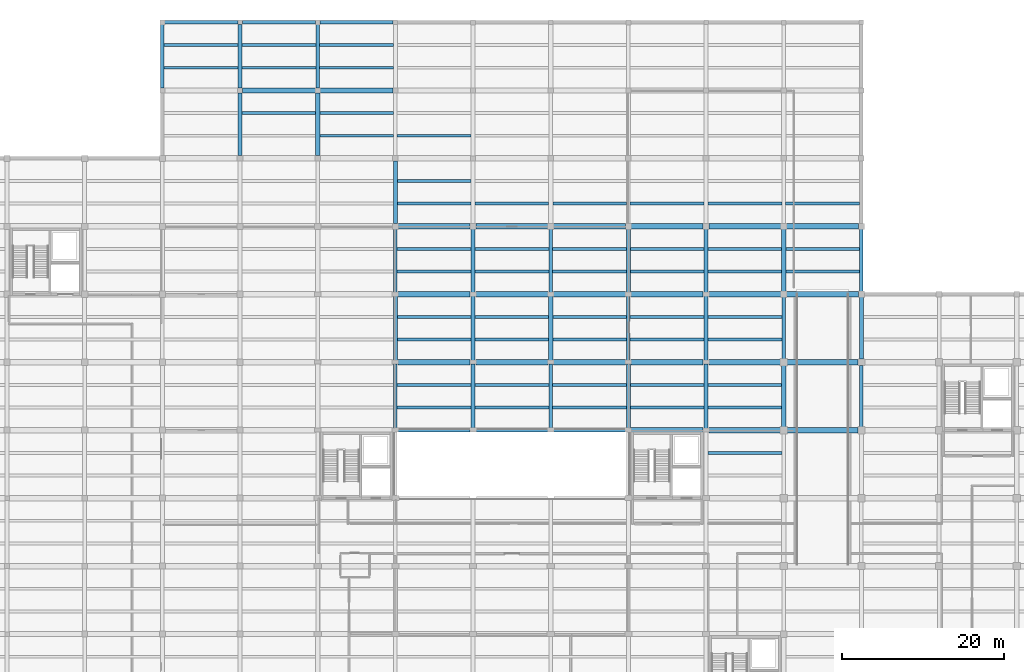
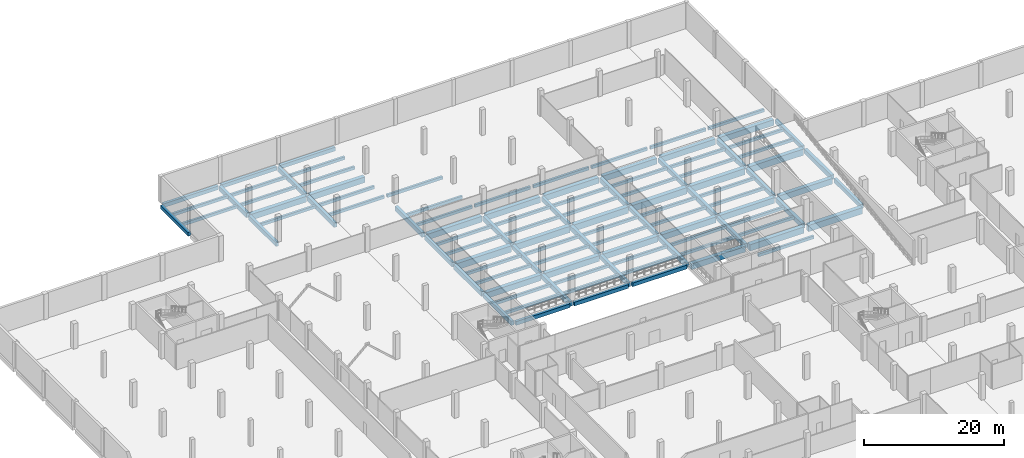
# One storey, part 10 of 30: 106 beams.
"""IFC4 building model written with IfcOpenShell, lengths in metres."""

import ifcopenshell
import ifcopenshell.guid

model = None  # the IFC model being written
_history = None  # IfcOwnerHistory: only IFC2X3 demands one
_inside = {}  # id of a spatial element -> (the spatial element, [elements in it])
_under = {}  # id of a project, library or spatial element -> (it, [spatial elements below it])
_declared = {}  # id of a project -> (the project, [libraries it declares])
_typed = {}  # id of a type object -> (the type object, [elements of that type])
_made_of = {}  # id of a material, layer set ... -> (it, [elements and type objects made of it])


def new_model(schema):
    """Start an empty IFC model of exactly this schema.

    Asked for "IFC4X3", IfcOpenShell would pick the latest addendum, in which some entities
    have other attributes; the version numbers below select the first issue.
    IFC2X3 requires an IfcOwnerHistory on every rooted entity: one is made here for all.
    """
    global model, _history
    if schema == "IFC4X3":
        model = ifcopenshell.file(schema_version=(4, 3, 0, 0))
    else:
        model = ifcopenshell.file(schema=schema)
    _inside.clear()
    _under.clear()
    _declared.clear()
    _typed.clear()
    _made_of.clear()
    _history = None
    if model.schema == "IFC2X3":
        org = make("IfcOrganization", Name="unknown")
        user = make(
            "IfcPersonAndOrganization",
            ThePerson=make("IfcPerson", FamilyName="unknown"),
            TheOrganization=org,
        )
        app = make(
            "IfcApplication",
            ApplicationDeveloper=org,
            Version="unknown",
            ApplicationFullName="unknown",
            ApplicationIdentifier="unknown",
        )
        _history = make(
            "IfcOwnerHistory",
            OwningUser=user,
            OwningApplication=app,
            ChangeAction="ADDED",
            CreationDate=0,
        )
    return model


def make(cls, **values):
    """One entity of the class cls with the attributes given. An attribute that is None is left unset."""
    return model.create_entity(
        cls, **{name: value for name, value in values.items() if value is not None}
    )


def rooted(cls, **values):
    """An entity with a GlobalId (a new one), such as an element, a storey or a relation."""
    return make(cls, GlobalId=ifcopenshell.guid.new(), OwnerHistory=_history, **values)


def si_unit(unit_type, name, prefix=None):
    """IfcSIUnit, for example si_unit("LENGTHUNIT", "METRE", prefix="MILLI")."""
    return make("IfcSIUnit", UnitType=unit_type, Prefix=prefix, Name=name)


def assignment(units):
    """IfcUnitAssignment: the units of a project."""
    return None if units is None else make("IfcUnitAssignment", Units=units)


def point(xyz):
    """IfcCartesianPoint."""
    return None if xyz is None else make("IfcCartesianPoint", Coordinates=xyz)


def direction(xyz):
    """IfcDirection."""
    return None if xyz is None else make("IfcDirection", DirectionRatios=xyz)


def frame(location, z_axis=None, x_axis=None):
    """IfcAxis2Placement3D, a coordinate frame: its origin and axes. An axis left out is left unset."""
    return make(
        "IfcAxis2Placement3D",
        Location=point(location),
        Axis=direction(z_axis),
        RefDirection=direction(x_axis),
    )


def frame_2d(location, x_axis=None):
    """IfcAxis2Placement2D, a coordinate frame in the plane: its origin and x axis."""
    return make(
        "IfcAxis2Placement2D", Location=point(location), RefDirection=direction(x_axis)
    )


def origin():
    """The frame at (0, 0, 0) with its axes left unset."""
    return frame((0.0, 0.0, 0.0))


def origin_2d():
    """The frame at (0, 0) in the plane with its x axis left unset."""
    return frame_2d((0.0, 0.0))


def place(relative_to, where):
    """IfcLocalPlacement: puts the frame where relative to a parent placement (None: the world)."""
    return make(
        "IfcLocalPlacement", PlacementRelTo=relative_to, RelativePlacement=where
    )


def context(
    kind, dimensions, precision=None, world=None, true_north=None, identifier=None
):
    """IfcGeometricRepresentationContext, for example the 3D "Model" context."""
    return make(
        "IfcGeometricRepresentationContext",
        ContextIdentifier=identifier,
        ContextType=kind,
        CoordinateSpaceDimension=dimensions,
        Precision=precision,
        WorldCoordinateSystem=world,
        TrueNorth=true_north,
    )


def subcontext(parent, identifier, kind, view, scale=None):
    """IfcGeometricRepresentationSubContext, for example "Body" below "Model"."""
    return make(
        "IfcGeometricRepresentationSubContext",
        ContextIdentifier=identifier,
        ContextType=kind,
        ParentContext=parent,
        TargetScale=scale,
        TargetView=view,
    )


def project(units=None, contexts=None):
    """IfcProject with its units and contexts."""
    return rooted(
        "IfcProject",
        Name="project",
        RepresentationContexts=contexts,
        UnitsInContext=assignment(units),
    )


def spatial(cls, under=None, at=None, **own):
    """A site, building, storey or space (cls), placed at a placement, below another one or the project."""
    s = rooted(cls, ObjectPlacement=at, **own)
    if under is not None:
        _under.setdefault(under.id(), (under, []))[1].append(s)
    return s


def profile(cls, at=None, kind="AREA", **sizes):
    """A parametric profile (cls). Its sizes go by their IFC names, for example OverallWidth=200.0."""
    return make(cls, ProfileType=kind, Position=at, **sizes)


def rectangle(**sizes):
    """IfcRectangleProfileDef."""
    return profile("IfcRectangleProfileDef", **sizes)


def extrude(swept, where, along, depth):
    """IfcExtrudedAreaSolid: the profile swept, set in the frame where, extruded along a direction by depth."""
    return make(
        "IfcExtrudedAreaSolid",
        SweptArea=swept,
        Position=where,
        ExtrudedDirection=direction(along),
        Depth=depth,
    )


def shape(context_of_items, identifier, shape_type, items):
    """IfcShapeRepresentation: the items that make up one representation, for example the "Body"."""
    return make(
        "IfcShapeRepresentation",
        ContextOfItems=context_of_items,
        RepresentationIdentifier=identifier,
        RepresentationType=shape_type,
        Items=items,
    )


def material(Name=None, Category=None):
    """IfcMaterial."""
    return make("IfcMaterial", Name=Name, Category=Category)


def material_profile(
    of_material, cross_section, Name=None, Category=None, Priority=None
):
    """IfcMaterialProfile: a cross section and its material."""
    return make(
        "IfcMaterialProfile",
        Name=Name,
        Material=of_material,
        Profile=cross_section,
        Priority=Priority,
        Category=Category,
    )


def profile_set(profiles, Name=None, composite=None):
    """IfcMaterialProfileSet."""
    return make(
        "IfcMaterialProfileSet",
        Name=Name,
        MaterialProfiles=profiles,
        CompositeProfile=composite,
    )


def made_of(thing, what):
    """Note that an element or type object is made of a material, layer set ...; save() writes the relation."""
    if what is not None:
        _made_of.setdefault(what.id(), (what, []))[1].append(thing)
    return thing


def type_object(cls, material=None, **own):
    """A type object (cls), such as IfcWallType, which elements share."""
    return made_of(rooted(cls, **own), material)


def element(
    cls,
    number,
    at=None,
    inside=None,
    cuts=None,
    type_object=None,
    material=None,
    context=None,
    identifier="Body",
    shape_type=None,
    held_by="IfcProductDefinitionShape",
    body=None,
    shapes=None,
    **own,
):
    """One element of the class cls, such as IfcWall. Its Tag is "e" and its number.

    at: its placement. inside: the storey or other place that contains it. cuts: it is an
    opening in that element (IfcRelVoidsElement). A single representation is given by context,
    identifier, shape_type and body (its items); several are given by shapes. held_by: the class
    of the entity that holds the representations. save() writes the other relations.
    """
    e = rooted(cls, Tag="e%d" % number, ObjectPlacement=at, **own)
    if body is not None:
        shapes = [shape(context, identifier, shape_type, body)]
    if shapes is not None:
        e.Representation = make(held_by, Representations=shapes)
    if inside is not None:
        _inside.setdefault(inside.id(), (inside, []))[1].append(e)
    if cuts is not None:
        rooted(
            "IfcRelVoidsElement", RelatingBuildingElement=cuts, RelatedOpeningElement=e
        )
    if type_object is not None:
        _typed.setdefault(type_object.id(), (type_object, []))[1].append(e)
    return made_of(e, material)


def aggregate(whole, parts):
    """IfcRelAggregates: a whole, such as a stair, and the parts it consists of."""
    return rooted("IfcRelAggregates", RelatingObject=whole, RelatedObjects=parts)


def save(model, path):
    """Write the relations noted so far, then the file.

    IfcRelAggregates (storeys below a building ...), IfcRelContainedInSpatialStructure (elements
    in a storey), IfcRelDefinesByType, IfcRelAssociatesMaterial and IfcRelDeclares: one each for
    every whole, place, type object, material and project.
    """
    for whole, parts in _under.values():
        aggregate(whole, parts)
    for where, things in _inside.values():
        rooted(
            "IfcRelContainedInSpatialStructure",
            RelatedElements=things,
            RelatingStructure=where,
        )
    for kind, things in _typed.values():
        rooted("IfcRelDefinesByType", RelatedObjects=things, RelatingType=kind)
    for what, things in _made_of.values():
        rooted("IfcRelAssociatesMaterial", RelatedObjects=things, RelatingMaterial=what)
    for by, libraries in _declared.values():
        rooted("IfcRelDeclares", RelatingContext=by, RelatedDefinitions=libraries)
    model.write(path)


model = new_model("IFC4")

# Units and contexts
model_context = context("Model", 3, precision=1e-05, world=origin(), true_north=direction((0.0, 1.0)))
body_context = subcontext(model_context, "Body", "Model", "MODEL_VIEW")
ifc_project = project(units=[si_unit("LENGTHUNIT", "METRE"), si_unit("AREAUNIT", "SQUARE_METRE"), si_unit("VOLUMEUNIT", "CUBIC_METRE"), si_unit("PLANEANGLEUNIT", "RADIAN"), si_unit("MASSUNIT", "GRAM", prefix="KILO")], contexts=[model_context])

# Site, building, storey
site_placement = place(None, origin())
site = spatial("IfcSite", under=ifc_project, at=site_placement, CompositionType="ELEMENT")
building_placement = place(site_placement, origin())
building = spatial("IfcBuilding", under=site, at=building_placement, Name="Lornevale Opera House", CompositionType="ELEMENT")
storey_placement = place(building_placement, frame((0.0, 0.0, -4.800048828125)))
storey = spatial("IfcBuildingStorey", under=building, at=storey_placement, Name="B1", CompositionType="ELEMENT", Elevation=-4.800048828125)

# Beams
ifc_material_1 = material(Name="Concrete 35 MPa (CSA A23.1 N)", Category="concrete")
ifc_material_profile_1 = material_profile(ifc_material_1, rectangle(XDim=0.449951171875, YDim=0.75, at=origin_2d()), Name="RC450x750")
ifc_profile_set_1 = profile_set([ifc_material_profile_1], Name="Concrete 35 MPa (CSA A23.1 N)")
beam_type_1 = type_object("IfcBeamType", Name="Concrete Floor Beam 450x750", PredefinedType="USERDEFINED", material=ifc_profile_set_1)
beam_1_placement = place(storey_placement, frame((48.0, 101.125, -0.794921875), z_axis=(0.0, 1.0, 0.0), x_axis=(-1.0, 0.0, 0.0)))
element("IfcBeam", 1, at=beam_1_placement, inside=storey, type_object=beam_type_1, Name="Concrete Floor Beam 450x750 0308", ObjectType="GIRDER", PredefinedType="USERDEFINED", context=body_context, shape_type="SweptSolid", body=[
    extrude(rectangle(XDim=0.449951171875, YDim=0.75, at=origin_2d()), origin(), (0.0, 0.0, 1.0), 7.77490234375),
])
beam_2_placement = place(storey_placement, frame((57.60009765625, 109.5, -0.794921875), z_axis=(0.0, 1.0, 0.0), x_axis=(-1.0, 0.0, 0.0)))
element("IfcBeam", 2, at=beam_2_placement, inside=storey, type_object=beam_type_1, Name="Concrete Floor Beam 450x750 0323", ObjectType="GIRDER", PredefinedType="USERDEFINED", context=body_context, shape_type="SweptSolid", body=[
    extrude(rectangle(XDim=0.449951171875, YDim=0.75, at=origin_2d()), origin(), (0.0, 0.0, 1.0), 7.824951171875),
])
beam_3_placement = place(storey_placement, frame((67.199951171875, 67.39990234375, -0.794921875), z_axis=(0.0, 1.0, 0.0), x_axis=(-1.0, 0.0, 0.0)))
element("IfcBeam", 3, at=beam_3_placement, inside=storey, type_object=beam_type_1, Name="Concrete Floor Beam 450x750 0332", ObjectType="GIRDER", PredefinedType="USERDEFINED", context=body_context, shape_type="SweptSolid", body=[
    extrude(rectangle(XDim=0.449951171875, YDim=0.75, at=origin_2d()), origin(), (0.0, 0.0, 1.0), 8.0),
])
beam_4_placement = place(storey_placement, frame((67.199951171875, 84.199951171875, -0.794921875), z_axis=(0.0, 1.0, 0.0), x_axis=(-1.0, 0.0, 0.0)))
element("IfcBeam", 4, at=beam_4_placement, inside=storey, type_object=beam_type_1, Name="Concrete Floor Beam 450x750 0334", ObjectType="GIRDER", PredefinedType="USERDEFINED", context=body_context, shape_type="SweptSolid", body=[
    extrude(rectangle(XDim=0.449951171875, YDim=0.75, at=origin_2d()), origin(), (0.0, 0.0, 1.0), 7.85009765625),
])
for number, where, z_axis, x_axis, name in (
    (5, (76.800048828125, 75.800048828125, -0.794921875), (0.0, 1.0, 0.0), (-1.0, 0.0, 0.0), "Concrete Floor Beam 450x750 0346"),
    (6, (86.39990234375, 67.39990234375, -0.794921875), (0.0, 1.0, 0.0), (-1.0, 0.0, 0.0), "Concrete Floor Beam 450x750 0358"),
):
    element("IfcBeam", number, at=place(storey_placement, frame(where, z_axis=z_axis, x_axis=x_axis)), inside=storey, type_object=beam_type_1, Name=name, ObjectType="GIRDER", PredefinedType="USERDEFINED", context=body_context, shape_type="SweptSolid", body=[
        extrude(rectangle(XDim=0.449951171875, YDim=0.75, at=origin_2d()), origin(), (0.0, 0.0, 1.0), 8.0),
    ])
beam_5_placement = place(storey_placement, frame((86.39990234375, 84.199951171875, -0.794921875), z_axis=(0.0, 1.0, 0.0), x_axis=(-1.0, 0.0, 0.0)))
element("IfcBeam", 7, at=beam_5_placement, inside=storey, type_object=beam_type_1, Name="Concrete Floor Beam 450x750 0360", ObjectType="GIRDER", PredefinedType="USERDEFINED", context=body_context, shape_type="SweptSolid", body=[
    extrude(rectangle(XDim=0.449951171875, YDim=0.75, at=origin_2d()), origin(), (0.0, 0.0, 1.0), 7.85009765625),
])
for number, where, z_axis, x_axis, name in (
    (8, (96.0, 75.800048828125, -0.794921875), (0.0, 1.0, 0.0), (-1.0, 0.0, 0.0), "Concrete Floor Beam 450x750 0373"),
    (9, (105.60009765625, 67.39990234375, -0.794921875), (0.0, 1.0, 0.0), (-1.0, 0.0, 0.0), "Concrete Floor Beam 450x750 0386"),
):
    element("IfcBeam", number, at=place(storey_placement, frame(where, z_axis=z_axis, x_axis=x_axis)), inside=storey, type_object=beam_type_1, Name=name, ObjectType="GIRDER", PredefinedType="USERDEFINED", context=body_context, shape_type="SweptSolid", body=[
        extrude(rectangle(XDim=0.449951171875, YDim=0.75, at=origin_2d()), origin(), (0.0, 0.0, 1.0), 8.0),
    ])
beam_6_placement = place(storey_placement, frame((105.60009765625, 84.199951171875, -0.794921875), z_axis=(0.0, 1.0, 0.0), x_axis=(-1.0, 0.0, 0.0)))
element("IfcBeam", 10, at=beam_6_placement, inside=storey, type_object=beam_type_1, Name="Concrete Floor Beam 450x750 0388", ObjectType="GIRDER", PredefinedType="USERDEFINED", context=body_context, shape_type="SweptSolid", body=[
    extrude(rectangle(XDim=0.449951171875, YDim=0.75, at=origin_2d()), origin(), (0.0, 0.0, 1.0), 7.85009765625),
])
beam_7_placement = place(storey_placement, frame((115.199951171875, 76.0, -0.794921875), z_axis=(0.0, 1.0, 0.0), x_axis=(-1.0, 0.0, 0.0)))
element("IfcBeam", 11, at=beam_7_placement, inside=storey, type_object=beam_type_1, Name="Concrete Floor Beam 450x750 0401", ObjectType="GIRDER", PredefinedType="USERDEFINED", context=body_context, shape_type="SweptSolid", body=[
    extrude(rectangle(XDim=0.449951171875, YDim=0.75, at=origin_2d()), origin(), (0.0, 0.0, 1.0), 7.64990234375),
])
beam_8_placement = place(storey_placement, frame((124.800048828125, 67.60009765625, -0.794921875), z_axis=(0.0, 1.0, 0.0), x_axis=(-1.0, 0.0, 0.0)))
element("IfcBeam", 12, at=beam_8_placement, inside=storey, type_object=beam_type_1, Name="Concrete Floor Beam 450x750 0414", ObjectType="GIRDER", PredefinedType="USERDEFINED", context=body_context, shape_type="SweptSolid", body=[
    extrude(rectangle(XDim=0.449951171875, YDim=0.75, at=origin_2d()), origin(), (0.0, 0.0, 1.0), 7.599853515625),
])
ifc_material_profile_2 = material_profile(ifc_material_1, rectangle(XDim=0.5, YDim=0.800048828125, at=origin_2d()), Name="RC500x800")
ifc_profile_set_2 = profile_set([ifc_material_profile_2], Name="Concrete 35 MPa (CSA A23.1 N)")
beam_type_2 = type_object("IfcBeamType", Name="Concrete Floor Beam 500x800", PredefinedType="USERDEFINED", material=ifc_profile_set_2)
beam_9_placement = place(storey_placement, frame((48.0, 109.5, -0.820068359375), z_axis=(0.0, 1.0, 0.0), x_axis=(-1.0, 0.0, 0.0)))
element("IfcBeam", 13, at=beam_9_placement, inside=storey, type_object=beam_type_2, Name="Concrete Floor Beam 500x800 0309", ObjectType="GIRDER", PredefinedType="USERDEFINED", context=body_context, shape_type="SweptSolid", body=[
    extrude(rectangle(XDim=0.5, YDim=0.800048828125, at=origin_2d()), origin(), (0.0, 0.0, 1.0), 7.824951171875),
])
beam_10_placement = place(storey_placement, frame((57.60009765625, 101.125, -0.820068359375), z_axis=(0.0, 1.0, 0.0), x_axis=(-1.0, 0.0, 0.0)))
element("IfcBeam", 14, at=beam_10_placement, inside=storey, type_object=beam_type_2, Name="Concrete Floor Beam 500x800 0322", ObjectType="GIRDER", PredefinedType="USERDEFINED", context=body_context, shape_type="SweptSolid", body=[
    extrude(rectangle(XDim=0.5, YDim=0.800048828125, at=origin_2d()), origin(), (0.0, 0.0, 1.0), 7.77490234375),
])
beam_11_placement = place(storey_placement, frame((67.199951171875, 75.800048828125, -0.820068359375), z_axis=(0.0, 1.0, 0.0), x_axis=(-1.0, 0.0, 0.0)))
element("IfcBeam", 15, at=beam_11_placement, inside=storey, type_object=beam_type_2, Name="Concrete Floor Beam 500x800 0333", ObjectType="GIRDER", PredefinedType="USERDEFINED", context=body_context, shape_type="SweptSolid", body=[
    extrude(rectangle(XDim=0.5, YDim=0.800048828125, at=origin_2d()), origin(), (0.0, 0.0, 1.0), 8.0),
])
beam_12_placement = place(storey_placement, frame((67.199951171875, 92.75, -0.820068359375), z_axis=(0.0, 1.0, 0.0), x_axis=(-1.0, 0.0, 0.0)))
element("IfcBeam", 16, at=beam_12_placement, inside=storey, type_object=beam_type_2, Name="Concrete Floor Beam 500x800 0335", ObjectType="GIRDER", PredefinedType="USERDEFINED", context=body_context, shape_type="SweptSolid", body=[
    extrude(rectangle(XDim=0.5, YDim=0.800048828125, at=origin_2d()), origin(), (0.0, 0.0, 1.0), 7.72509765625),
])
beam_13_placement = place(storey_placement, frame((76.800048828125, 67.39990234375, -0.820068359375), z_axis=(0.0, 1.0, 0.0), x_axis=(-1.0, 0.0, 0.0)))
element("IfcBeam", 17, at=beam_13_placement, inside=storey, type_object=beam_type_2, Name="Concrete Floor Beam 500x800 0345", ObjectType="GIRDER", PredefinedType="USERDEFINED", context=body_context, shape_type="SweptSolid", body=[
    extrude(rectangle(XDim=0.5, YDim=0.800048828125, at=origin_2d()), origin(), (0.0, 0.0, 1.0), 8.0),
])
beam_14_placement = place(storey_placement, frame((76.800048828125, 84.199951171875, -0.820068359375), z_axis=(0.0, 1.0, 0.0), x_axis=(-1.0, 0.0, 0.0)))
element("IfcBeam", 18, at=beam_14_placement, inside=storey, type_object=beam_type_2, Name="Concrete Floor Beam 500x800 0347", ObjectType="GIRDER", PredefinedType="USERDEFINED", context=body_context, shape_type="SweptSolid", body=[
    extrude(rectangle(XDim=0.5, YDim=0.800048828125, at=origin_2d()), origin(), (0.0, 0.0, 1.0), 7.85009765625),
])
for number, where, z_axis, x_axis, name in (
    (19, (86.39990234375, 75.800048828125, -0.820068359375), (0.0, 1.0, 0.0), (-1.0, 0.0, 0.0), "Concrete Floor Beam 500x800 0359"),
    (20, (96.0, 67.39990234375, -0.820068359375), (0.0, 1.0, 0.0), (-1.0, 0.0, 0.0), "Concrete Floor Beam 500x800 0372"),
):
    element("IfcBeam", number, at=place(storey_placement, frame(where, z_axis=z_axis, x_axis=x_axis)), inside=storey, type_object=beam_type_2, Name=name, ObjectType="GIRDER", PredefinedType="USERDEFINED", context=body_context, shape_type="SweptSolid", body=[
        extrude(rectangle(XDim=0.5, YDim=0.800048828125, at=origin_2d()), origin(), (0.0, 0.0, 1.0), 8.0),
    ])
beam_15_placement = place(storey_placement, frame((96.0, 84.199951171875, -0.820068359375), z_axis=(0.0, 1.0, 0.0), x_axis=(-1.0, 0.0, 0.0)))
element("IfcBeam", 21, at=beam_15_placement, inside=storey, type_object=beam_type_2, Name="Concrete Floor Beam 500x800 0374", ObjectType="GIRDER", PredefinedType="USERDEFINED", context=body_context, shape_type="SweptSolid", body=[
    extrude(rectangle(XDim=0.5, YDim=0.800048828125, at=origin_2d()), origin(), (0.0, 0.0, 1.0), 7.85009765625),
])
beam_16_placement = place(storey_placement, frame((105.60009765625, 75.800048828125, -0.820068359375), z_axis=(0.0, 1.0, 0.0), x_axis=(-1.0, 0.0, 0.0)))
element("IfcBeam", 22, at=beam_16_placement, inside=storey, type_object=beam_type_2, Name="Concrete Floor Beam 500x800 0387", ObjectType="GIRDER", PredefinedType="USERDEFINED", context=body_context, shape_type="SweptSolid", body=[
    extrude(rectangle(XDim=0.5, YDim=0.800048828125, at=origin_2d()), origin(), (0.0, 0.0, 1.0), 8.0),
])
beam_17_placement = place(storey_placement, frame((115.199951171875, 67.60009765625, -0.820068359375), z_axis=(0.0, 1.0, 0.0), x_axis=(-1.0, 0.0, 0.0)))
element("IfcBeam", 23, at=beam_17_placement, inside=storey, type_object=beam_type_2, Name="Concrete Floor Beam 500x800 0400", ObjectType="GIRDER", PredefinedType="USERDEFINED", context=body_context, shape_type="SweptSolid", body=[
    extrude(rectangle(XDim=0.5, YDim=0.800048828125, at=origin_2d()), origin(), (0.0, 0.0, 1.0), 7.599853515625),
])
beam_18_placement = place(storey_placement, frame((115.199951171875, 84.35009765625, -0.820068359375), z_axis=(0.0, 1.0, 0.0), x_axis=(-1.0, 0.0, 0.0)))
element("IfcBeam", 24, at=beam_18_placement, inside=storey, type_object=beam_type_2, Name="Concrete Floor Beam 500x800 0402", ObjectType="GIRDER", PredefinedType="USERDEFINED", context=body_context, shape_type="SweptSolid", body=[
    extrude(rectangle(XDim=0.5, YDim=0.800048828125, at=origin_2d()), origin(), (0.0, 0.0, 1.0), 7.699951171875),
])
beam_19_placement = place(storey_placement, frame((124.800048828125, 76.0, -0.820068359375), z_axis=(0.0, 1.0, 0.0), x_axis=(-1.0, 0.0, 0.0)))
element("IfcBeam", 25, at=beam_19_placement, inside=storey, type_object=beam_type_2, Name="Concrete Floor Beam 500x800 0415", ObjectType="GIRDER", PredefinedType="USERDEFINED", context=body_context, shape_type="SweptSolid", body=[
    extrude(rectangle(XDim=0.5, YDim=0.800048828125, at=origin_2d()), origin(), (0.0, 0.0, 1.0), 7.64990234375),
])
ifc_material_2 = material(Name="Concrete 40 MPa (CSA A23.1 C-1)", Category="concrete")
ifc_material_profile_3 = material_profile(ifc_material_2, rectangle(XDim=0.64990234375, YDim=1.0, at=origin_2d()), Name="RC650x1000")
ifc_profile_set_3 = profile_set([ifc_material_profile_3], Name="Concrete 40 MPa (CSA A23.1 C-1)")
beam_type_3 = type_object("IfcBeamType", Name="Concrete Primary Girder 650x1000", PredefinedType="USERDEFINED", material=ifc_profile_set_3)
for number, where, z_axis, x_axis, name in (
    (26, (96.35009765625, 67.199951171875, -0.919921875), (1.0, 0.0, 0.0), (0.0, 1.0, 0.0), "Concrete Primary Girder 650x1000 0147"),
    (27, (67.550048828125, 75.60009765625, -0.919921875), (1.0, 0.0, 0.0), (0.0, 1.0, 0.0), "Concrete Primary Girder 650x1000 0162"),
):
    element("IfcBeam", number, at=place(storey_placement, frame(where, z_axis=z_axis, x_axis=x_axis)), inside=storey, type_object=beam_type_3, Name=name, ObjectType="GIRDER", PredefinedType="USERDEFINED", context=body_context, shape_type="SweptSolid", body=[
        extrude(rectangle(XDim=0.64990234375, YDim=1.0, at=origin_2d()), origin(), (0.0, 0.0, 1.0), 8.89990234375),
    ])
beam_20_placement = place(storey_placement, frame((77.14990234375, 75.60009765625, -0.919921875), z_axis=(1.0, 0.0, 0.0), x_axis=(0.0, 1.0, 0.0)))
element("IfcBeam", 28, at=beam_20_placement, inside=storey, type_object=beam_type_3, Name="Concrete Primary Girder 650x1000 0163", ObjectType="GIRDER", PredefinedType="USERDEFINED", context=body_context, shape_type="SweptSolid", body=[
    extrude(rectangle(XDim=0.64990234375, YDim=1.0, at=origin_2d()), origin(), (0.0, 0.0, 1.0), 8.900146484375),
])
for number, where, z_axis, x_axis, name in (
    (29, (86.75, 75.60009765625, -0.919921875), (1.0, 0.0, 0.0), (0.0, 1.0, 0.0), "Concrete Primary Girder 650x1000 0164"),
    (30, (96.35009765625, 75.60009765625, -0.919921875), (1.0, 0.0, 0.0), (0.0, 1.0, 0.0), "Concrete Primary Girder 650x1000 0165"),
):
    element("IfcBeam", number, at=place(storey_placement, frame(where, z_axis=z_axis, x_axis=x_axis)), inside=storey, type_object=beam_type_3, Name=name, ObjectType="GIRDER", PredefinedType="USERDEFINED", context=body_context, shape_type="SweptSolid", body=[
        extrude(rectangle(XDim=0.64990234375, YDim=1.0, at=origin_2d()), origin(), (0.0, 0.0, 1.0), 8.89990234375),
    ])
beam_21_placement = place(storey_placement, frame((105.949951171875, 75.60009765625, -0.919921875), z_axis=(1.0, 0.0, 0.0), x_axis=(0.0, 1.0, 0.0)))
element("IfcBeam", 31, at=beam_21_placement, inside=storey, type_object=beam_type_3, Name="Concrete Primary Girder 650x1000 0166", ObjectType="GIRDER", PredefinedType="USERDEFINED", context=body_context, shape_type="SweptSolid", body=[
    extrude(rectangle(XDim=0.64990234375, YDim=1.0, at=origin_2d()), origin(), (0.0, 0.0, 1.0), 8.85009765625),
])
beam_22_placement = place(storey_placement, frame((115.60009765625, 75.60009765625, -0.919921875), z_axis=(1.0, 0.0, 0.0), x_axis=(0.0, 1.0, 0.0)))
element("IfcBeam", 32, at=beam_22_placement, inside=storey, type_object=beam_type_3, Name="Concrete Primary Girder 650x1000 0167", ObjectType="GIRDER", PredefinedType="USERDEFINED", context=body_context, shape_type="SweptSolid", body=[
    extrude(rectangle(XDim=0.64990234375, YDim=1.0, at=origin_2d()), origin(), (0.0, 0.0, 1.0), 8.7998046875),
])
beam_23_placement = place(storey_placement, frame((67.550048828125, 92.39990234375, -0.919921875), z_axis=(1.0, 0.0, 0.0), x_axis=(0.0, 1.0, 0.0)))
element("IfcBeam", 33, at=beam_23_placement, inside=storey, type_object=beam_type_3, Name="Concrete Primary Girder 650x1000 0197", ObjectType="GIRDER", PredefinedType="USERDEFINED", context=body_context, shape_type="SweptSolid", body=[
    extrude(rectangle(XDim=0.64990234375, YDim=1.0, at=origin_2d()), origin(), (0.0, 0.0, 1.0), 8.89990234375),
])
beam_24_placement = place(storey_placement, frame((77.14990234375, 92.39990234375, -0.919921875), z_axis=(1.0, 0.0, 0.0), x_axis=(0.0, 1.0, 0.0)))
element("IfcBeam", 34, at=beam_24_placement, inside=storey, type_object=beam_type_3, Name="Concrete Primary Girder 650x1000 0198", ObjectType="GIRDER", PredefinedType="USERDEFINED", context=body_context, shape_type="SweptSolid", body=[
    extrude(rectangle(XDim=0.64990234375, YDim=1.0, at=origin_2d()), origin(), (0.0, 0.0, 1.0), 8.900146484375),
])
for number, where, z_axis, x_axis, name in (
    (35, (86.75, 92.39990234375, -0.919921875), (1.0, 0.0, 0.0), (0.0, 1.0, 0.0), "Concrete Primary Girder 650x1000 0199"),
    (36, (96.35009765625, 92.39990234375, -0.919921875), (1.0, 0.0, 0.0), (0.0, 1.0, 0.0), "Concrete Primary Girder 650x1000 0200"),
):
    element("IfcBeam", number, at=place(storey_placement, frame(where, z_axis=z_axis, x_axis=x_axis)), inside=storey, type_object=beam_type_3, Name=name, ObjectType="GIRDER", PredefinedType="USERDEFINED", context=body_context, shape_type="SweptSolid", body=[
        extrude(rectangle(XDim=0.64990234375, YDim=1.0, at=origin_2d()), origin(), (0.0, 0.0, 1.0), 8.89990234375),
    ])
beam_25_placement = place(storey_placement, frame((105.949951171875, 92.39990234375, -0.919921875), z_axis=(1.0, 0.0, 0.0), x_axis=(0.0, 1.0, 0.0)))
element("IfcBeam", 37, at=beam_25_placement, inside=storey, type_object=beam_type_3, Name="Concrete Primary Girder 650x1000 0201", ObjectType="GIRDER", PredefinedType="USERDEFINED", context=body_context, shape_type="SweptSolid", body=[
    extrude(rectangle(XDim=0.64990234375, YDim=1.0, at=origin_2d()), origin(), (0.0, 0.0, 1.0), 8.900146484375),
])
beam_26_placement = place(storey_placement, frame((115.550048828125, 92.39990234375, -0.919921875), z_axis=(1.0, 0.0, 0.0), x_axis=(0.0, 1.0, 0.0)))
element("IfcBeam", 38, at=beam_26_placement, inside=storey, type_object=beam_type_3, Name="Concrete Primary Girder 650x1000 0202", ObjectType="GIRDER", PredefinedType="USERDEFINED", context=body_context, shape_type="SweptSolid", body=[
    extrude(rectangle(XDim=0.64990234375, YDim=1.0, at=origin_2d()), origin(), (0.0, 0.0, 1.0), 8.89990234375),
])
for number, where, z_axis, x_axis, name in (
    (39, (48.300048828125, 109.199951171875, -0.919921875), (1.0, 0.0, 0.0), (0.0, 1.0, 0.0), "Concrete Primary Girder 650x1000 0217"),
    (40, (57.89990234375, 109.199951171875, -0.919921875), (1.0, 0.0, 0.0), (0.0, 1.0, 0.0), "Concrete Primary Girder 650x1000 0218"),
):
    element("IfcBeam", number, at=place(storey_placement, frame(where, z_axis=z_axis, x_axis=x_axis)), inside=storey, type_object=beam_type_3, Name=name, ObjectType="GIRDER", PredefinedType="USERDEFINED", context=body_context, shape_type="SweptSolid", body=[
        extrude(rectangle(XDim=0.64990234375, YDim=1.0, at=origin_2d()), origin(), (0.0, 0.0, 1.0), 9.0),
    ])
ifc_material_profile_4 = material_profile(ifc_material_2, rectangle(XDim=0.699951171875, YDim=1.10009765625, at=origin_2d()), Name="RC700x1100")
ifc_profile_set_4 = profile_set([ifc_material_profile_4], Name="Concrete 40 MPa (CSA A23.1 C-1)")
beam_type_4 = type_object("IfcBeamType", Name="Concrete Primary Girder 700x1100", PredefinedType="USERDEFINED", material=ifc_profile_set_4)
beam_27_placement = place(storey_placement, frame((105.949951171875, 67.199951171875, -0.969970703125), z_axis=(1.0, 0.0, 0.0), x_axis=(0.0, 1.0, 0.0)))
element("IfcBeam", 41, at=beam_27_placement, inside=storey, type_object=beam_type_4, Name="Concrete Primary Girder 700x1100 0148", ObjectType="GIRDER", PredefinedType="USERDEFINED", context=body_context, shape_type="SweptSolid", body=[
    extrude(rectangle(XDim=0.699951171875, YDim=1.10009765625, at=origin_2d()), origin(), (0.0, 0.0, 1.0), 8.85009765625),
])
beam_28_placement = place(storey_placement, frame((115.60009765625, 67.199951171875, -0.969970703125), z_axis=(1.0, 0.0, 0.0), x_axis=(0.0, 1.0, 0.0)))
element("IfcBeam", 42, at=beam_28_placement, inside=storey, type_object=beam_type_4, Name="Concrete Primary Girder 700x1100 0149", ObjectType="GIRDER", PredefinedType="USERDEFINED", context=body_context, shape_type="SweptSolid", body=[
    extrude(rectangle(XDim=0.699951171875, YDim=1.10009765625, at=origin_2d()), origin(), (0.0, 0.0, 1.0), 8.7998046875),
])
beam_29_placement = place(storey_placement, frame((67.550048828125, 84.0, -0.969970703125), z_axis=(1.0, 0.0, 0.0), x_axis=(0.0, 1.0, 0.0)))
element("IfcBeam", 43, at=beam_29_placement, inside=storey, type_object=beam_type_4, Name="Concrete Primary Girder 700x1100 0180", ObjectType="GIRDER", PredefinedType="USERDEFINED", context=body_context, shape_type="SweptSolid", body=[
    extrude(rectangle(XDim=0.699951171875, YDim=1.10009765625, at=origin_2d()), origin(), (0.0, 0.0, 1.0), 8.89990234375),
])
beam_30_placement = place(storey_placement, frame((77.14990234375, 84.0, -0.969970703125), z_axis=(1.0, 0.0, 0.0), x_axis=(0.0, 1.0, 0.0)))
element("IfcBeam", 44, at=beam_30_placement, inside=storey, type_object=beam_type_4, Name="Concrete Primary Girder 700x1100 0181", ObjectType="GIRDER", PredefinedType="USERDEFINED", context=body_context, shape_type="SweptSolid", body=[
    extrude(rectangle(XDim=0.699951171875, YDim=1.10009765625, at=origin_2d()), origin(), (0.0, 0.0, 1.0), 8.900146484375),
])
for number, where, z_axis, x_axis, name in (
    (45, (86.75, 84.0, -0.969970703125), (1.0, 0.0, 0.0), (0.0, 1.0, 0.0), "Concrete Primary Girder 700x1100 0182"),
    (46, (96.35009765625, 84.0, -0.969970703125), (1.0, 0.0, 0.0), (0.0, 1.0, 0.0), "Concrete Primary Girder 700x1100 0183"),
):
    element("IfcBeam", number, at=place(storey_placement, frame(where, z_axis=z_axis, x_axis=x_axis)), inside=storey, type_object=beam_type_4, Name=name, ObjectType="GIRDER", PredefinedType="USERDEFINED", context=body_context, shape_type="SweptSolid", body=[
        extrude(rectangle(XDim=0.699951171875, YDim=1.10009765625, at=origin_2d()), origin(), (0.0, 0.0, 1.0), 8.89990234375),
    ])
beam_31_placement = place(storey_placement, frame((105.949951171875, 84.0, -0.969970703125), z_axis=(1.0, 0.0, 0.0), x_axis=(0.0, 1.0, 0.0)))
element("IfcBeam", 47, at=beam_31_placement, inside=storey, type_object=beam_type_4, Name="Concrete Primary Girder 700x1100 0184", ObjectType="GIRDER", PredefinedType="USERDEFINED", context=body_context, shape_type="SweptSolid", body=[
    extrude(rectangle(XDim=0.699951171875, YDim=1.10009765625, at=origin_2d()), origin(), (0.0, 0.0, 1.0), 8.900146484375),
])
beam_32_placement = place(storey_placement, frame((115.550048828125, 84.0, -0.969970703125), z_axis=(1.0, 0.0, 0.0), x_axis=(0.0, 1.0, 0.0)))
element("IfcBeam", 48, at=beam_32_placement, inside=storey, type_object=beam_type_4, Name="Concrete Primary Girder 700x1100 0185", ObjectType="GIRDER", PredefinedType="USERDEFINED", context=body_context, shape_type="SweptSolid", body=[
    extrude(rectangle(XDim=0.699951171875, YDim=1.10009765625, at=origin_2d()), origin(), (0.0, 0.0, 1.0), 8.89990234375),
])
ifc_material_profile_5 = material_profile(ifc_material_1, rectangle(XDim=0.35009765625, YDim=0.5, at=origin_2d()), Name="RC350x500")
ifc_profile_set_5 = profile_set([ifc_material_profile_5], Name="Concrete 35 MPa (CSA A23.1 N)")
beam_type_5 = type_object("IfcBeamType", Name="Concrete Secondary Rib 350x500", PredefinedType="JOIST", material=ifc_profile_set_5)
for number, where, z_axis, x_axis, name in (
    (49, (38.625, 112.0, -0.669921875), (1.0, 0.0, 0.0), (0.0, 1.0, 0.0), "Concrete Secondary Rib 350x500 0579"),
    (50, (38.625, 114.800048828125, -0.669921875), (1.0, 0.0, 0.0), (0.0, 1.0, 0.0), "Concrete Secondary Rib 350x500 0580"),
    (51, (48.22509765625, 106.39990234375, -0.669921875), (1.0, 0.0, 0.0), (0.0, 1.0, 0.0), "Concrete Secondary Rib 350x500 0604"),
    (52, (48.25, 112.0, -0.669921875), (1.0, 0.0, 0.0), (0.0, 1.0, 0.0), "Concrete Secondary Rib 350x500 0605"),
    (53, (48.25, 114.800048828125, -0.669921875), (1.0, 0.0, 0.0), (0.0, 1.0, 0.0), "Concrete Secondary Rib 350x500 0606"),
    (54, (57.85009765625, 103.60009765625, -0.669921875), (1.0, 0.0, 0.0), (0.0, 1.0, 0.0), "Concrete Secondary Rib 350x500 0627"),
    (55, (57.85009765625, 106.39990234375, -0.669921875), (1.0, 0.0, 0.0), (0.0, 1.0, 0.0), "Concrete Secondary Rib 350x500 0628"),
    (56, (57.824951171875, 112.0, -0.669921875), (1.0, 0.0, 0.0), (0.0, 1.0, 0.0), "Concrete Secondary Rib 350x500 0629"),
    (57, (57.824951171875, 114.800048828125, -0.669921875), (1.0, 0.0, 0.0), (0.0, 1.0, 0.0), "Concrete Secondary Rib 350x500 0630"),
    (58, (67.425048828125, 70.0, -0.669921875), (1.0, 0.0, 0.0), (0.0, 1.0, 0.0), "Concrete Secondary Rib 350x500 0645"),
    (59, (67.425048828125, 72.800048828125, -0.669921875), (1.0, 0.0, 0.0), (0.0, 1.0, 0.0), "Concrete Secondary Rib 350x500 0646"),
    (60, (67.449951171875, 78.39990234375, -0.669921875), (1.0, 0.0, 0.0), (0.0, 1.0, 0.0), "Concrete Secondary Rib 350x500 0647"),
    (61, (67.449951171875, 81.199951171875, -0.669921875), (1.0, 0.0, 0.0), (0.0, 1.0, 0.0), "Concrete Secondary Rib 350x500 0648"),
    (62, (67.425048828125, 86.800048828125, -0.669921875), (1.0, 0.0, 0.0), (0.0, 1.0, 0.0), "Concrete Secondary Rib 350x500 0649"),
    (63, (67.425048828125, 89.60009765625, -0.669921875), (1.0, 0.0, 0.0), (0.0, 1.0, 0.0), "Concrete Secondary Rib 350x500 0650"),
    (64, (67.449951171875, 95.199951171875, -0.669921875), (1.0, 0.0, 0.0), (0.0, 1.0, 0.0), "Concrete Secondary Rib 350x500 0651"),
    (65, (67.449951171875, 98.0, -0.669921875), (1.0, 0.0, 0.0), (0.0, 1.0, 0.0), "Concrete Secondary Rib 350x500 0652"),
    (66, (67.425048828125, 103.60009765625, -0.669921875), (1.0, 0.0, 0.0), (0.0, 1.0, 0.0), "Concrete Secondary Rib 350x500 0653"),
    (67, (77.050048828125, 70.0, -0.669921875), (1.0, 0.0, 0.0), (0.0, 1.0, 0.0), "Concrete Secondary Rib 350x500 0671"),
    (68, (77.050048828125, 72.800048828125, -0.669921875), (1.0, 0.0, 0.0), (0.0, 1.0, 0.0), "Concrete Secondary Rib 350x500 0672"),
    (69, (77.02490234375, 78.39990234375, -0.669921875), (1.0, 0.0, 0.0), (0.0, 1.0, 0.0), "Concrete Secondary Rib 350x500 0673"),
    (70, (77.02490234375, 81.199951171875, -0.669921875), (1.0, 0.0, 0.0), (0.0, 1.0, 0.0), "Concrete Secondary Rib 350x500 0674"),
    (71, (77.050048828125, 86.800048828125, -0.669921875), (1.0, 0.0, 0.0), (0.0, 1.0, 0.0), "Concrete Secondary Rib 350x500 0675"),
    (72, (77.050048828125, 89.60009765625, -0.669921875), (1.0, 0.0, 0.0), (0.0, 1.0, 0.0), "Concrete Secondary Rib 350x500 0676"),
    (73, (77.02490234375, 95.199951171875, -0.669921875), (1.0, 0.0, 0.0), (0.0, 1.0, 0.0), "Concrete Secondary Rib 350x500 0677"),
    (74, (86.625, 70.0, -0.669921875), (1.0, 0.0, 0.0), (0.0, 1.0, 0.0), "Concrete Secondary Rib 350x500 0697"),
    (75, (86.625, 72.800048828125, -0.669921875), (1.0, 0.0, 0.0), (0.0, 1.0, 0.0), "Concrete Secondary Rib 350x500 0698"),
    (76, (86.64990234375, 78.39990234375, -0.669921875), (1.0, 0.0, 0.0), (0.0, 1.0, 0.0), "Concrete Secondary Rib 350x500 0699"),
    (77, (86.64990234375, 81.199951171875, -0.669921875), (1.0, 0.0, 0.0), (0.0, 1.0, 0.0), "Concrete Secondary Rib 350x500 0700"),
    (78, (86.625, 86.800048828125, -0.669921875), (1.0, 0.0, 0.0), (0.0, 1.0, 0.0), "Concrete Secondary Rib 350x500 0701"),
    (79, (86.625, 89.60009765625, -0.669921875), (1.0, 0.0, 0.0), (0.0, 1.0, 0.0), "Concrete Secondary Rib 350x500 0702"),
    (80, (86.64990234375, 95.199951171875, -0.669921875), (1.0, 0.0, 0.0), (0.0, 1.0, 0.0), "Concrete Secondary Rib 350x500 0703"),
    (81, (96.25, 70.0, -0.669921875), (1.0, 0.0, 0.0), (0.0, 1.0, 0.0), "Concrete Secondary Rib 350x500 0723"),
    (82, (96.25, 72.800048828125, -0.669921875), (1.0, 0.0, 0.0), (0.0, 1.0, 0.0), "Concrete Secondary Rib 350x500 0724"),
    (83, (96.22509765625, 78.39990234375, -0.669921875), (1.0, 0.0, 0.0), (0.0, 1.0, 0.0), "Concrete Secondary Rib 350x500 0725"),
    (84, (96.22509765625, 81.199951171875, -0.669921875), (1.0, 0.0, 0.0), (0.0, 1.0, 0.0), "Concrete Secondary Rib 350x500 0726"),
    (85, (96.25, 86.800048828125, -0.669921875), (1.0, 0.0, 0.0), (0.0, 1.0, 0.0), "Concrete Secondary Rib 350x500 0727"),
    (86, (96.25, 89.60009765625, -0.669921875), (1.0, 0.0, 0.0), (0.0, 1.0, 0.0), "Concrete Secondary Rib 350x500 0728"),
    (87, (96.22509765625, 95.199951171875, -0.669921875), (1.0, 0.0, 0.0), (0.0, 1.0, 0.0), "Concrete Secondary Rib 350x500 0729"),
    (88, (105.85009765625, 64.39990234375, -0.669921875), (1.0, 0.0, 0.0), (0.0, 1.0, 0.0), "Concrete Secondary Rib 350x500 0748"),
    (89, (105.824951171875, 70.0, -0.669921875), (1.0, 0.0, 0.0), (0.0, 1.0, 0.0), "Concrete Secondary Rib 350x500 0749"),
    (90, (105.824951171875, 72.800048828125, -0.669921875), (1.0, 0.0, 0.0), (0.0, 1.0, 0.0), "Concrete Secondary Rib 350x500 0750"),
    (91, (105.85009765625, 78.39990234375, -0.669921875), (1.0, 0.0, 0.0), (0.0, 1.0, 0.0), "Concrete Secondary Rib 350x500 0751"),
    (92, (105.85009765625, 81.199951171875, -0.669921875), (1.0, 0.0, 0.0), (0.0, 1.0, 0.0), "Concrete Secondary Rib 350x500 0752"),
    (93, (105.824951171875, 86.800048828125, -0.669921875), (1.0, 0.0, 0.0), (0.0, 1.0, 0.0), "Concrete Secondary Rib 350x500 0753"),
    (94, (105.824951171875, 89.60009765625, -0.669921875), (1.0, 0.0, 0.0), (0.0, 1.0, 0.0), "Concrete Secondary Rib 350x500 0754"),
    (95, (105.85009765625, 95.199951171875, -0.669921875), (1.0, 0.0, 0.0), (0.0, 1.0, 0.0), "Concrete Secondary Rib 350x500 0755"),
    (96, (115.449951171875, 86.800048828125, -0.669921875), (1.0, 0.0, 0.0), (0.0, 1.0, 0.0), "Concrete Secondary Rib 350x500 0773"),
    (97, (115.449951171875, 89.60009765625, -0.669921875), (1.0, 0.0, 0.0), (0.0, 1.0, 0.0), "Concrete Secondary Rib 350x500 0774"),
):
    element("IfcBeam", number, at=place(storey_placement, frame(where, z_axis=z_axis, x_axis=x_axis)), inside=storey, type_object=beam_type_5, Name=name, PredefinedType="JOIST", context=body_context, shape_type="SweptSolid", body=[
        extrude(rectangle(XDim=0.35009765625, YDim=0.5, at=origin_2d()), origin(), (0.0, 0.0, 1.0), 9.125),
    ])
beam_33_placement = place(storey_placement, frame((115.425048828125, 95.199951171875, -0.669921875), z_axis=(1.0, 0.0, 0.0), x_axis=(0.0, 1.0, 0.0)))
element("IfcBeam", 98, at=beam_33_placement, inside=storey, type_object=beam_type_5, Name="Concrete Secondary Rib 350x500 0775", PredefinedType="JOIST", context=body_context, shape_type="SweptSolid", body=[
    extrude(rectangle(XDim=0.35009765625, YDim=0.5, at=origin_2d()), origin(), (0.0, 0.0, 1.0), 9.14990234375),
])
ifc_material_profile_6 = material_profile(ifc_material_1, rectangle(XDim=0.449951171875, YDim=0.64990234375, at=origin_2d()), Name="RC450x650")
ifc_profile_set_6 = profile_set([ifc_material_profile_6], Name="Concrete 35 MPa (CSA A23.1 N)")
beam_type_6 = type_object("IfcBeamType", Name="Concrete Spandrel Beam 450x650", PredefinedType="SPANDREL", material=ifc_profile_set_6)
beam_34_placement = place(storey_placement, frame((67.550048828125, 67.199951171875, -0.744873046875), z_axis=(1.0, 0.0, 0.0), x_axis=(0.0, 1.0, 0.0)))
element("IfcBeam", 99, at=beam_34_placement, inside=storey, type_object=beam_type_6, Name="Concrete Spandrel Beam 450x650 0144", PredefinedType="SPANDREL", context=body_context, shape_type="SweptSolid", body=[
    extrude(rectangle(XDim=0.449951171875, YDim=0.64990234375, at=origin_2d()), origin(), (0.0, 0.0, 1.0), 8.89990234375),
])
beam_35_placement = place(storey_placement, frame((77.14990234375, 67.199951171875, -0.744873046875), z_axis=(1.0, 0.0, 0.0), x_axis=(0.0, 1.0, 0.0)))
element("IfcBeam", 100, at=beam_35_placement, inside=storey, type_object=beam_type_6, Name="Concrete Spandrel Beam 450x650 0145", PredefinedType="SPANDREL", context=body_context, shape_type="SweptSolid", body=[
    extrude(rectangle(XDim=0.449951171875, YDim=0.64990234375, at=origin_2d()), origin(), (0.0, 0.0, 1.0), 8.900146484375),
])
beam_36_placement = place(storey_placement, frame((86.75, 67.199951171875, -0.744873046875), z_axis=(1.0, 0.0, 0.0), x_axis=(0.0, 1.0, 0.0)))
element("IfcBeam", 101, at=beam_36_placement, inside=storey, type_object=beam_type_6, Name="Concrete Spandrel Beam 450x650 0146", PredefinedType="SPANDREL", context=body_context, shape_type="SweptSolid", body=[
    extrude(rectangle(XDim=0.449951171875, YDim=0.64990234375, at=origin_2d()), origin(), (0.0, 0.0, 1.0), 8.89990234375),
])
for number, where, z_axis, x_axis, name in (
    (102, (38.675048828125, 117.60009765625, -0.744873046875), (1.0, 0.0, 0.0), (0.0, 1.0, 0.0), "Concrete Spandrel Beam 450x650 0225"),
    (103, (48.27490234375, 117.60009765625, -0.744873046875), (1.0, 0.0, 0.0), (0.0, 1.0, 0.0), "Concrete Spandrel Beam 450x650 0226"),
    (104, (57.875, 117.60009765625, -0.744873046875), (1.0, 0.0, 0.0), (0.0, 1.0, 0.0), "Concrete Spandrel Beam 450x650 0227"),
):
    element("IfcBeam", number, at=place(storey_placement, frame(where, z_axis=z_axis, x_axis=x_axis)), inside=storey, type_object=beam_type_6, Name=name, PredefinedType="SPANDREL", context=body_context, shape_type="SweptSolid", body=[
        extrude(rectangle(XDim=0.449951171875, YDim=0.64990234375, at=origin_2d()), origin(), (0.0, 0.0, 1.0), 9.050048828125),
    ])
beam_37_placement = place(storey_placement, frame((38.39990234375, 109.5, -0.744873046875), z_axis=(0.0, 1.0, 0.0), x_axis=(-1.0, 0.0, 0.0)))
element("IfcBeam", 105, at=beam_37_placement, inside=storey, type_object=beam_type_6, Name="Concrete Spandrel Beam 450x650 0295", PredefinedType="SPANDREL", context=body_context, shape_type="SweptSolid", body=[
    extrude(rectangle(XDim=0.449951171875, YDim=0.64990234375, at=origin_2d()), origin(), (0.0, 0.0, 1.0), 7.824951171875),
])
beam_38_placement = place(storey_placement, frame((124.800048828125, 84.35009765625, -0.744873046875), z_axis=(0.0, 1.0, 0.0), x_axis=(-1.0, 0.0, 0.0)))
element("IfcBeam", 106, at=beam_38_placement, inside=storey, type_object=beam_type_6, Name="Concrete Spandrel Beam 450x650 0416", PredefinedType="SPANDREL", context=body_context, shape_type="SweptSolid", body=[
    extrude(rectangle(XDim=0.449951171875, YDim=0.64990234375, at=origin_2d()), origin(), (0.0, 0.0, 1.0), 7.699951171875),
])

save(model, "model.ifc")
